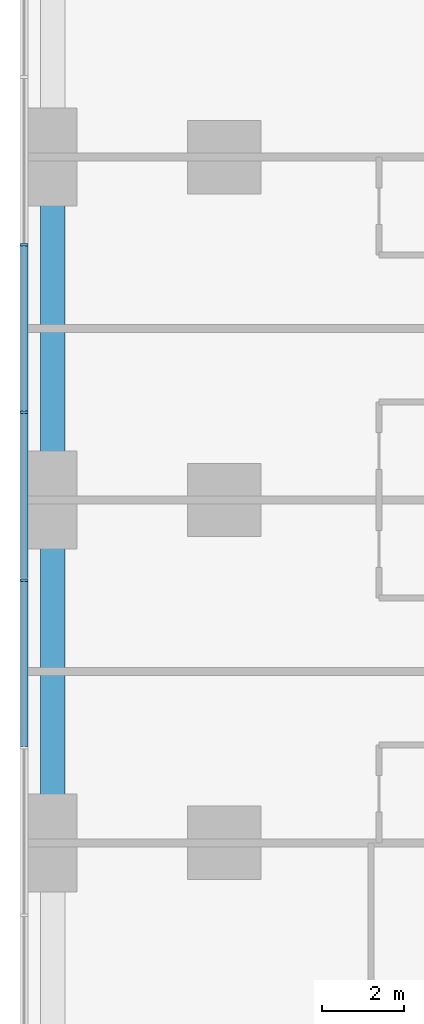
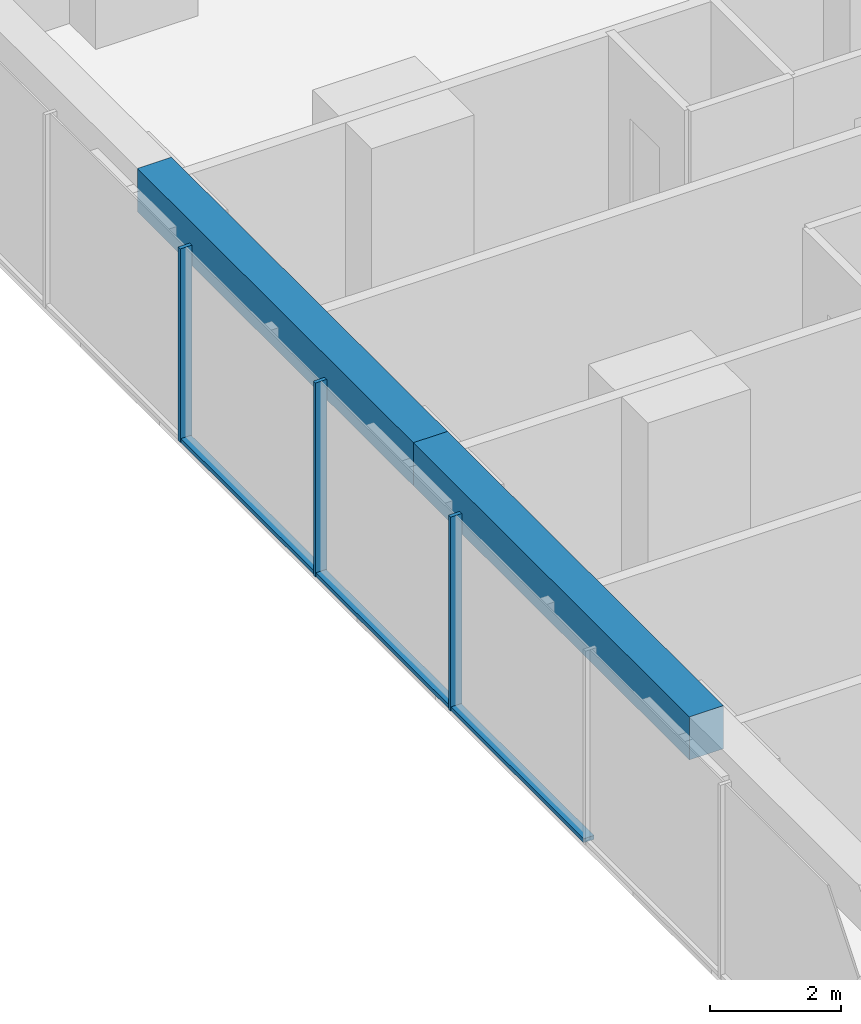
# One storey, part 3 of 18: 6 members, 2 beams, 1 element without a shape of its own.
"""IFC4 building model written with IfcOpenShell, lengths in metres."""

import ifcopenshell
import ifcopenshell.guid

model = None  # the IFC model being written
_history = None  # IfcOwnerHistory: only IFC2X3 demands one
_inside = {}  # id of a spatial element -> (the spatial element, [elements in it])
_under = {}  # id of a project, library or spatial element -> (it, [spatial elements below it])
_declared = {}  # id of a project -> (the project, [libraries it declares])
_typed = {}  # id of a type object -> (the type object, [elements of that type])
_made_of = {}  # id of a material, layer set ... -> (it, [elements and type objects made of it])


def new_model(schema):
    """Start an empty IFC model of exactly this schema.

    Asked for "IFC4X3", IfcOpenShell would pick the latest addendum, in which some entities
    have other attributes; the version numbers below select the first issue.
    IFC2X3 requires an IfcOwnerHistory on every rooted entity: one is made here for all.
    """
    global model, _history
    if schema == "IFC4X3":
        model = ifcopenshell.file(schema_version=(4, 3, 0, 0))
    else:
        model = ifcopenshell.file(schema=schema)
    _inside.clear()
    _under.clear()
    _declared.clear()
    _typed.clear()
    _made_of.clear()
    _history = None
    if model.schema == "IFC2X3":
        org = make("IfcOrganization", Name="unknown")
        user = make(
            "IfcPersonAndOrganization",
            ThePerson=make("IfcPerson", FamilyName="unknown"),
            TheOrganization=org,
        )
        app = make(
            "IfcApplication",
            ApplicationDeveloper=org,
            Version="unknown",
            ApplicationFullName="unknown",
            ApplicationIdentifier="unknown",
        )
        _history = make(
            "IfcOwnerHistory",
            OwningUser=user,
            OwningApplication=app,
            ChangeAction="ADDED",
            CreationDate=0,
        )
    return model


def make(cls, **values):
    """One entity of the class cls with the attributes given. An attribute that is None is left unset."""
    return model.create_entity(
        cls, **{name: value for name, value in values.items() if value is not None}
    )


def rooted(cls, **values):
    """An entity with a GlobalId (a new one), such as an element, a storey or a relation."""
    return make(cls, GlobalId=ifcopenshell.guid.new(), OwnerHistory=_history, **values)


def si_unit(unit_type, name, prefix=None):
    """IfcSIUnit, for example si_unit("LENGTHUNIT", "METRE", prefix="MILLI")."""
    return make("IfcSIUnit", UnitType=unit_type, Prefix=prefix, Name=name)


def assignment(units):
    """IfcUnitAssignment: the units of a project."""
    return None if units is None else make("IfcUnitAssignment", Units=units)


def point(xyz):
    """IfcCartesianPoint."""
    return None if xyz is None else make("IfcCartesianPoint", Coordinates=xyz)


def direction(xyz):
    """IfcDirection."""
    return None if xyz is None else make("IfcDirection", DirectionRatios=xyz)


def frame(location, z_axis=None, x_axis=None):
    """IfcAxis2Placement3D, a coordinate frame: its origin and axes. An axis left out is left unset."""
    return make(
        "IfcAxis2Placement3D",
        Location=point(location),
        Axis=direction(z_axis),
        RefDirection=direction(x_axis),
    )


def frame_2d(location, x_axis=None):
    """IfcAxis2Placement2D, a coordinate frame in the plane: its origin and x axis."""
    return make(
        "IfcAxis2Placement2D", Location=point(location), RefDirection=direction(x_axis)
    )


def origin():
    """The frame at (0, 0, 0) with its axes left unset."""
    return frame((0.0, 0.0, 0.0))


def origin_2d():
    """The frame at (0, 0) in the plane with its x axis left unset."""
    return frame_2d((0.0, 0.0))


def place(relative_to, where):
    """IfcLocalPlacement: puts the frame where relative to a parent placement (None: the world)."""
    return make(
        "IfcLocalPlacement", PlacementRelTo=relative_to, RelativePlacement=where
    )


def context(
    kind, dimensions, precision=None, world=None, true_north=None, identifier=None
):
    """IfcGeometricRepresentationContext, for example the 3D "Model" context."""
    return make(
        "IfcGeometricRepresentationContext",
        ContextIdentifier=identifier,
        ContextType=kind,
        CoordinateSpaceDimension=dimensions,
        Precision=precision,
        WorldCoordinateSystem=world,
        TrueNorth=true_north,
    )


def subcontext(parent, identifier, kind, view, scale=None):
    """IfcGeometricRepresentationSubContext, for example "Body" below "Model"."""
    return make(
        "IfcGeometricRepresentationSubContext",
        ContextIdentifier=identifier,
        ContextType=kind,
        ParentContext=parent,
        TargetScale=scale,
        TargetView=view,
    )


def project(units=None, contexts=None):
    """IfcProject with its units and contexts."""
    return rooted(
        "IfcProject",
        Name="project",
        RepresentationContexts=contexts,
        UnitsInContext=assignment(units),
    )


def spatial(cls, under=None, at=None, **own):
    """A site, building, storey or space (cls), placed at a placement, below another one or the project."""
    s = rooted(cls, ObjectPlacement=at, **own)
    if under is not None:
        _under.setdefault(under.id(), (under, []))[1].append(s)
    return s


def profile(cls, at=None, kind="AREA", **sizes):
    """A parametric profile (cls). Its sizes go by their IFC names, for example OverallWidth=200.0."""
    return make(cls, ProfileType=kind, Position=at, **sizes)


def rectangle(**sizes):
    """IfcRectangleProfileDef."""
    return profile("IfcRectangleProfileDef", **sizes)


def extrude(swept, where, along, depth):
    """IfcExtrudedAreaSolid: the profile swept, set in the frame where, extruded along a direction by depth."""
    return make(
        "IfcExtrudedAreaSolid",
        SweptArea=swept,
        Position=where,
        ExtrudedDirection=direction(along),
        Depth=depth,
    )


def shape(context_of_items, identifier, shape_type, items):
    """IfcShapeRepresentation: the items that make up one representation, for example the "Body"."""
    return make(
        "IfcShapeRepresentation",
        ContextOfItems=context_of_items,
        RepresentationIdentifier=identifier,
        RepresentationType=shape_type,
        Items=items,
    )


def material(Name=None, Category=None):
    """IfcMaterial."""
    return make("IfcMaterial", Name=Name, Category=Category)


def material_profile(
    of_material, cross_section, Name=None, Category=None, Priority=None
):
    """IfcMaterialProfile: a cross section and its material."""
    return make(
        "IfcMaterialProfile",
        Name=Name,
        Material=of_material,
        Profile=cross_section,
        Priority=Priority,
        Category=Category,
    )


def profile_set(profiles, Name=None, composite=None):
    """IfcMaterialProfileSet."""
    return make(
        "IfcMaterialProfileSet",
        Name=Name,
        MaterialProfiles=profiles,
        CompositeProfile=composite,
    )


def made_of(thing, what):
    """Note that an element or type object is made of a material, layer set ...; save() writes the relation."""
    if what is not None:
        _made_of.setdefault(what.id(), (what, []))[1].append(thing)
    return thing


def type_object(cls, material=None, **own):
    """A type object (cls), such as IfcWallType, which elements share."""
    return made_of(rooted(cls, **own), material)


def element(
    cls,
    number,
    at=None,
    inside=None,
    cuts=None,
    type_object=None,
    material=None,
    context=None,
    identifier="Body",
    shape_type=None,
    held_by="IfcProductDefinitionShape",
    body=None,
    shapes=None,
    **own,
):
    """One element of the class cls, such as IfcWall. Its Tag is "e" and its number.

    at: its placement. inside: the storey or other place that contains it. cuts: it is an
    opening in that element (IfcRelVoidsElement). A single representation is given by context,
    identifier, shape_type and body (its items); several are given by shapes. held_by: the class
    of the entity that holds the representations. save() writes the other relations.
    """
    e = rooted(cls, Tag="e%d" % number, ObjectPlacement=at, **own)
    if body is not None:
        shapes = [shape(context, identifier, shape_type, body)]
    if shapes is not None:
        e.Representation = make(held_by, Representations=shapes)
    if inside is not None:
        _inside.setdefault(inside.id(), (inside, []))[1].append(e)
    if cuts is not None:
        rooted(
            "IfcRelVoidsElement", RelatingBuildingElement=cuts, RelatedOpeningElement=e
        )
    if type_object is not None:
        _typed.setdefault(type_object.id(), (type_object, []))[1].append(e)
    return made_of(e, material)


def aggregate(whole, parts):
    """IfcRelAggregates: a whole, such as a stair, and the parts it consists of."""
    return rooted("IfcRelAggregates", RelatingObject=whole, RelatedObjects=parts)


def save(model, path):
    """Write the relations noted so far, then the file.

    IfcRelAggregates (storeys below a building ...), IfcRelContainedInSpatialStructure (elements
    in a storey), IfcRelDefinesByType, IfcRelAssociatesMaterial and IfcRelDeclares: one each for
    every whole, place, type object, material and project.
    """
    for whole, parts in _under.values():
        aggregate(whole, parts)
    for where, things in _inside.values():
        rooted(
            "IfcRelContainedInSpatialStructure",
            RelatedElements=things,
            RelatingStructure=where,
        )
    for kind, things in _typed.values():
        rooted("IfcRelDefinesByType", RelatedObjects=things, RelatingType=kind)
    for what, things in _made_of.values():
        rooted("IfcRelAssociatesMaterial", RelatedObjects=things, RelatingMaterial=what)
    for by, libraries in _declared.values():
        rooted("IfcRelDeclares", RelatingContext=by, RelatedDefinitions=libraries)
    model.write(path)


model = new_model("IFC4")

# Units and contexts
model_context = context("Model", 3, precision=1e-05, world=origin(), true_north=direction((0.0, 1.0)))
body_context = subcontext(model_context, "Body", "Model", "MODEL_VIEW")
ifc_project = project(units=[si_unit("LENGTHUNIT", "METRE"), si_unit("AREAUNIT", "SQUARE_METRE"), si_unit("VOLUMEUNIT", "CUBIC_METRE"), si_unit("PLANEANGLEUNIT", "RADIAN"), si_unit("MASSUNIT", "GRAM", prefix="KILO")], contexts=[model_context])

# Site, building, storey
site_placement = place(None, origin())
site = spatial("IfcSite", under=ifc_project, at=site_placement, CompositionType="ELEMENT")
building_placement = place(site_placement, origin())
building = spatial("IfcBuilding", under=site, at=building_placement, Name="Dunama Terrace Hotel", CompositionType="ELEMENT")
storey_placement = place(building_placement, frame((0.0, 0.0, 27.0)))
storey = spatial("IfcBuildingStorey", under=building, at=storey_placement, Name="L05", CompositionType="ELEMENT", Elevation=27.0)

# Curtain wall, members
ifc_material_1 = material(Name="Aluminium curtain wall system", Category="aluminium")
curtain_wall_type = type_object("IfcCurtainWallType", Name="Unitised fritted glass wall CW-A", PredefinedType="NOTDEFINED", material=ifc_material_1)
curtain_wall_placement = place(storey_placement, origin())
curtain_wall = element("IfcCurtainWall", 1, at=curtain_wall_placement, inside=storey, type_object=curtain_wall_type, Name="Unitised fritted glass wall CW-A L05", PredefinedType="NOTDEFINED")
ifc_material_2 = material(Name="Aluminium mullion", Category="aluminium")
ifc_material_profile_1 = material_profile(ifc_material_2, rectangle(XDim=0.06494140625, YDim=0.199951171875, at=origin_2d()), Name="CWA MULLION 65X200")
ifc_profile_set_1 = profile_set([ifc_material_profile_1], Name="Aluminium mullion")
member_type_1 = type_object("IfcMemberType", Name="CWA mullion 65x200", PredefinedType="MULLION", material=ifc_profile_set_1)
member_1_placement = place(storey_placement, frame((-0.10009765625, 31.4541015625, 0.0), z_axis=(0.0, 0.0, 1.0), x_axis=(0.0, -1.0, 0.0)))
member_1 = element("IfcMember", 2, at=member_1_placement, type_object=member_type_1, Name="CWA mullion", PredefinedType="MULLION", context=body_context, shape_type="SweptSolid", body=[
    extrude(rectangle(XDim=0.06494140625, YDim=0.199951171875, at=origin_2d()), origin(), (0.0, 0.0, 1.0), 3.60009765625),
])
member_2_placement = place(storey_placement, frame((-0.10009765625, 27.345947265625, 0.0), z_axis=(0.0, 0.0, 1.0), x_axis=(0.0, -1.0, 0.0)))
member_2 = element("IfcMember", 3, at=member_2_placement, type_object=member_type_1, Name="CWA mullion", PredefinedType="MULLION", context=body_context, shape_type="SweptSolid", body=[
    extrude(rectangle(XDim=0.06494140625, YDim=0.199951171875, at=origin_2d()), origin(), (0.0, 0.0, 1.0), 3.60009765625),
])
member_3_placement = place(storey_placement, frame((-0.10009765625, 23.238037109375, 0.0), z_axis=(0.0, 0.0, 1.0), x_axis=(0.0, -1.0, 0.0)))
member_3 = element("IfcMember", 4, at=member_3_placement, type_object=member_type_1, Name="CWA mullion", PredefinedType="MULLION", context=body_context, shape_type="SweptSolid", body=[
    extrude(rectangle(XDim=0.06494140625, YDim=0.199951171875, at=origin_2d()), origin(), (0.0, 0.0, 1.0), 3.60009765625),
])
ifc_material_3 = material(Name="Aluminium transom", Category="aluminium")
ifc_material_profile_2 = material_profile(ifc_material_3, rectangle(XDim=0.179931640625, YDim=0.074951171875, at=origin_2d()), Name="CWA TRANSOM 180X75")
ifc_profile_set_2 = profile_set([ifc_material_profile_2], Name="Aluminium transom")
member_type_2 = type_object("IfcMemberType", Name="CWA transom 180x75", PredefinedType="USERDEFINED", material=ifc_profile_set_2)
member_4_placement = place(storey_placement, frame((-0.10009765625, 31.4208984375, 0.03759765625), z_axis=(0.0, -1.0, 0.0), x_axis=(1.0, 0.0, 0.0)))
member_4 = element("IfcMember", 5, at=member_4_placement, type_object=member_type_2, Name="CWA transom", ObjectType="TRANSOM", PredefinedType="USERDEFINED", context=body_context, shape_type="SweptSolid", body=[
    extrude(rectangle(XDim=0.179931640625, YDim=0.074951171875, at=origin_2d()), origin(), (0.0, 0.0, 1.0), 4.0419921875),
])
member_5_placement = place(storey_placement, frame((-0.10009765625, 27.31396484375, 0.03759765625), z_axis=(0.0, -1.0, 0.0), x_axis=(1.0, 0.0, 0.0)))
member_5 = element("IfcMember", 6, at=member_5_placement, type_object=member_type_2, Name="CWA transom", ObjectType="TRANSOM", PredefinedType="USERDEFINED", context=body_context, shape_type="SweptSolid", body=[
    extrude(rectangle(XDim=0.179931640625, YDim=0.074951171875, at=origin_2d()), origin(), (0.0, 0.0, 1.0), 4.04296875),
])
member_6_placement = place(storey_placement, frame((-0.10009765625, 23.2060546875, 0.03759765625), z_axis=(0.0, -1.0, 0.0), x_axis=(1.0, 0.0, 0.0)))
member_6 = element("IfcMember", 7, at=member_6_placement, type_object=member_type_2, Name="CWA transom", ObjectType="TRANSOM", PredefinedType="USERDEFINED", context=body_context, shape_type="SweptSolid", body=[
    extrude(rectangle(XDim=0.179931640625, YDim=0.074951171875, at=origin_2d()), origin(), (0.0, 0.0, 1.0), 4.04296875),
])
aggregate(curtain_wall, [member_1, member_2, member_3, member_4, member_5, member_6])

# Beams
ifc_material_4 = material(Name="Concrete C40/50", Category="concrete")
ifc_material_profile_3 = material_profile(ifc_material_4, rectangle(XDim=0.60009765625, YDim=0.800048828125, at=origin_2d()), Name="RC 600x800")
ifc_profile_set_3 = profile_set([ifc_material_profile_3], Name="Concrete C40/50")
beam_type = type_object("IfcBeamType", Name="Edge beam RC 600x800", PredefinedType="SPANDREL", material=ifc_profile_set_3)
beam_1_placement = place(storey_placement, frame((0.60009765625, 16.800048828125, 3.199951171875), z_axis=(0.0, 1.0, 0.0), x_axis=(-1.0, 0.0, 0.0)))
element("IfcBeam", 8, at=beam_1_placement, inside=storey, type_object=beam_type, Name="Edge beam under L06", PredefinedType="SPANDREL", context=body_context, shape_type="SweptSolid", body=[
    extrude(rectangle(XDim=0.60009765625, YDim=0.800048828125, at=origin_2d()), origin(), (0.0, 0.0, 1.0), 8.39990234375),
])
beam_2_placement = place(storey_placement, frame((0.60009765625, 25.199951171875, 3.199951171875), z_axis=(0.0, 1.0, 0.0), x_axis=(-1.0, 0.0, 0.0)))
element("IfcBeam", 9, at=beam_2_placement, inside=storey, type_object=beam_type, Name="Edge beam under L06", PredefinedType="SPANDREL", context=body_context, shape_type="SweptSolid", body=[
    extrude(rectangle(XDim=0.60009765625, YDim=0.800048828125, at=origin_2d()), origin(), (0.0, 0.0, 1.0), 8.400146484375),
])

save(model, "model.ifc")
